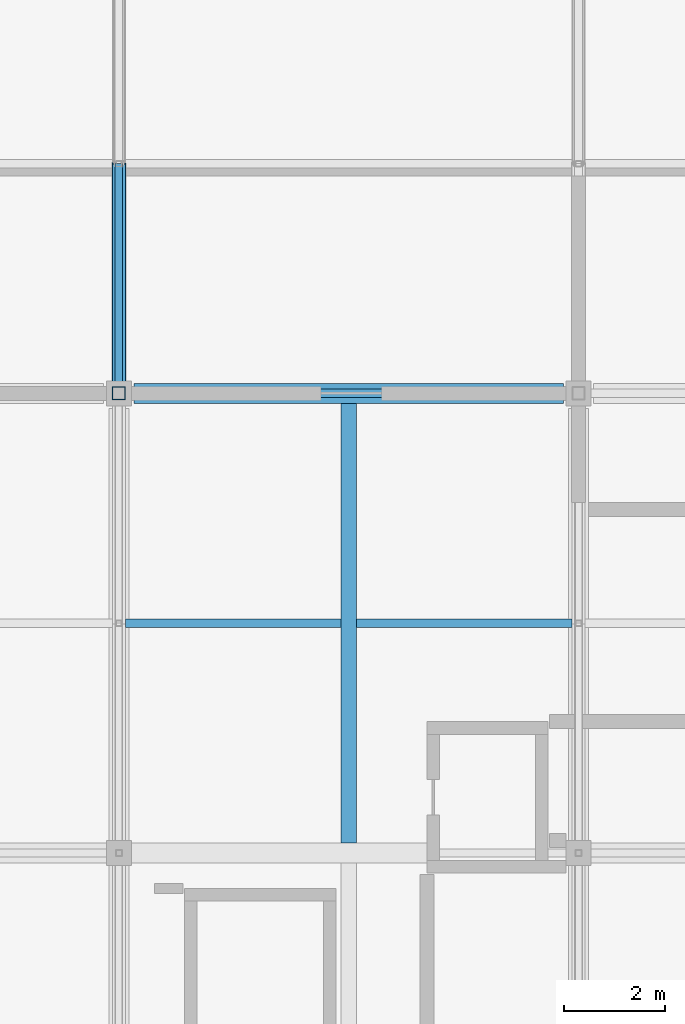
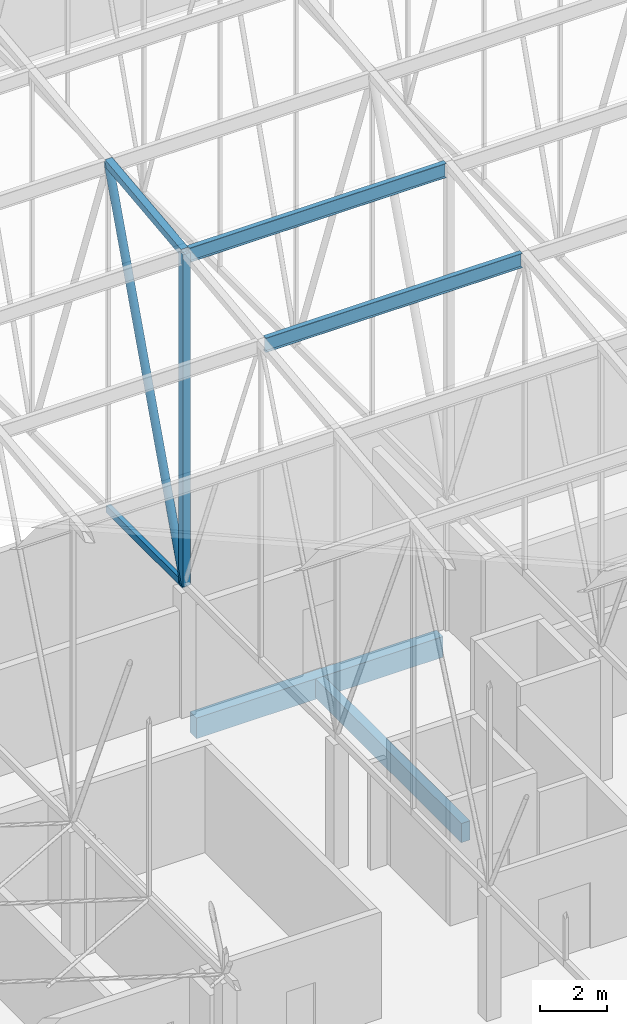
# One storey, part 59 of 500: 6 members, 2 beams.
"""IFC4 building model written with IfcOpenShell, lengths in metres."""

from ifc_helpers import new_model, si_unit, direction, frame, origin, origin_2d, place, context, subcontext, project, spatial, rectangle, hollow_rectangle, hollow_circle, i_section, extrude, material, material_profile, profile_set, type_object, element, save


model = new_model("IFC4")

# Units and contexts
model_context = context("Model", 3, precision=1e-05, world=origin(), true_north=direction((0.0, 1.0)))
body_context = subcontext(model_context, "Body", "Model", "MODEL_VIEW")
ifc_project = project(units=[si_unit("LENGTHUNIT", "METRE"), si_unit("AREAUNIT", "SQUARE_METRE"), si_unit("VOLUMEUNIT", "CUBIC_METRE"), si_unit("PLANEANGLEUNIT", "RADIAN"), si_unit("MASSUNIT", "GRAM", prefix="KILO")], contexts=[model_context])

# Site, building, storey
site_placement = place(None, origin())
site = spatial("IfcSite", under=ifc_project, at=site_placement, CompositionType="ELEMENT")
building_placement = place(site_placement, origin())
building = spatial("IfcBuilding", under=site, at=building_placement, Name="Shirokan Park Arena", CompositionType="ELEMENT")
storey_placement = place(building_placement, frame((0.0, 0.0, 29.1201171875)))
storey = spatial("IfcBuildingStorey", under=building, at=storey_placement, Name="L06", CompositionType="ELEMENT", Elevation=29.1201171875)

# Members
ifc_material_1 = material(Name="Steel ASTM A500 Grade C", Category="steel")
ifc_material_profile_1 = material_profile(ifc_material_1, hollow_rectangle(XDim=0.152099609375, YDim=0.25390625, WallThickness=0.009521484375, at=origin_2d()), Name="HSS254X152.4X9.5")
ifc_profile_set_1 = profile_set([ifc_material_profile_1], Name="Steel ASTM A500 Grade C")
member_type_1 = type_object("IfcMemberType", Name="Bottom chord HSS254X152.4X9.5", PredefinedType="CHORD", material=ifc_profile_set_1)
member_1_placement = place(storey_placement, frame((18.199951171875, 36.39990234375, 4.677001953125), z_axis=(0.0, 1.0, 0.0), x_axis=(-1.0, 0.0, 0.0)))
element("IfcMember", 1, at=member_1_placement, inside=storey, type_object=member_type_1, Name="Truss T03 bottom chord 11", PredefinedType="CHORD", context=body_context, shape_type="SweptSolid", body=[
    extrude(hollow_rectangle(XDim=0.152099609375, YDim=0.25390625, WallThickness=0.009521484375, at=origin_2d()), origin(), (0.0, 0.0, 1.0), 4.550048828125),
])
ifc_material_2 = material(Name="Steel ASTM A992", Category="steel")
ifc_material_profile_2 = material_profile(ifc_material_2, i_section(OverallWidth=0.166015625, OverallDepth=0.528076171875, WebThickness=0.009765625, FlangeThickness=0.013671875, at=origin_2d()), Name="W530X74")
ifc_profile_set_2 = profile_set([ifc_material_profile_2], Name="Steel ASTM A992")
member_type_2 = type_object("IfcMemberType", Name="Purlin W530X74", PredefinedType="PURLIN", material=ifc_profile_set_2)
for number, where, z_axis, x_axis, name in (
    (2, (18.326904296875, 31.85009765625, 16.1259765625), (1.0, 0.0, 0.0), (0.0, 1.0, 0.0), "Purlin 10 bay 3"),
    (3, (18.326904296875, 36.39990234375, 16.64599609375), (1.0, 0.0, 0.0), (0.0, 1.0, 0.0), "Purlin 11 bay 3"),
):
    element("IfcMember", number, at=place(storey_placement, frame(where, z_axis=z_axis, x_axis=x_axis)), inside=storey, type_object=member_type_2, Name=name, PredefinedType="PURLIN", context=body_context, shape_type="SweptSolid", body=[
        extrude(i_section(OverallWidth=0.166015625, OverallDepth=0.528076171875, WebThickness=0.009765625, FlangeThickness=0.013671875, at=origin_2d()), origin(), (0.0, 0.0, 1.0), 8.84619140625),
    ])

# Beams
ifc_material_3 = material(Name="Concrete C35", Category="concrete")
ifc_material_profile_3 = material_profile(ifc_material_3, rectangle(XDim=0.39990234375, YDim=0.75, at=origin_2d()), Name="400x750")
ifc_profile_set_3 = profile_set([ifc_material_profile_3], Name="Concrete C35")
beam_type_1 = type_object("IfcBeamType", Name="RC girder 400x750", PredefinedType="BEAM", material=ifc_profile_set_3)
beam_1_placement = place(storey_placement, frame((18.5, 36.39990234375, -0.5751953125), z_axis=(1.0, 0.0, 0.0), x_axis=(0.0, 1.0, 0.0)))
element("IfcBeam", 4, at=beam_1_placement, inside=storey, type_object=beam_type_1, Name="Girder 3E-4E L06", PredefinedType="BEAM", context=body_context, shape_type="SweptSolid", body=[
    extrude(rectangle(XDim=0.39990234375, YDim=0.75, at=origin_2d()), origin(), (0.0, 0.0, 1.0), 8.5),
])
ifc_material_profile_4 = material_profile(ifc_material_3, rectangle(XDim=0.300048828125, YDim=0.699951171875, at=origin_2d()), Name="300x700")
ifc_profile_set_4 = profile_set([ifc_material_profile_4], Name="Concrete C35")
beam_type_2 = type_object("IfcBeamType", Name="RC joist 300x700", PredefinedType="JOIST", material=ifc_profile_set_4)
beam_2_placement = place(storey_placement, frame((22.75, 27.5, -0.550048828125), z_axis=(0.0, 1.0, 0.0), x_axis=(-1.0, 0.0, 0.0)))
element("IfcBeam", 5, at=beam_2_placement, inside=storey, type_object=beam_type_2, Name="Joist 3D L06", PredefinedType="JOIST", context=body_context, shape_type="SweptSolid", body=[
    extrude(rectangle(XDim=0.300048828125, YDim=0.699951171875, at=origin_2d()), origin(), (0.0, 0.0, 1.0), 8.699951171875),
])

# Members
ifc_material_profile_5 = material_profile(ifc_material_1, hollow_rectangle(XDim=0.25390625, YDim=0.25390625, WallThickness=0.009521484375, at=origin_2d()), Name="HSS254X254X9.5")
ifc_profile_set_5 = profile_set([ifc_material_profile_5], Name="Steel ASTM A500 Grade C")
member_type_3 = type_object("IfcMemberType", Name="Top chord HSS254X254X9.5", PredefinedType="CHORD", material=ifc_profile_set_5)
member_2_placement = place(storey_placement, frame((18.199951171875, 36.39990234375, 16.782958984375), z_axis=(0.0, 0.993532328996, 0.113549598152), x_axis=(-1.0, 0.0, 0.0)))
element("IfcMember", 6, at=member_2_placement, inside=storey, type_object=member_type_3, Name="Truss T03 top chord 11", PredefinedType="CHORD", context=body_context, shape_type="SweptSolid", body=[
    extrude(hollow_rectangle(XDim=0.25390625, YDim=0.25390625, WallThickness=0.009521484375, at=origin_2d()), origin(), (0.0, 0.0, 1.0), 4.57958984375),
])
ifc_material_profile_6 = material_profile(ifc_material_1, hollow_circle(Radius=0.136474609375, WallThickness=0.009521484375, at=origin_2d()), Name="HSS273.1X9.5")
ifc_profile_set_6 = profile_set([ifc_material_profile_6], Name="Steel ASTM A500 Grade C")
member_type_4 = type_object("IfcMemberType", Name="Truss diagonal HSS273.1X9.5", PredefinedType="BRACE", material=ifc_profile_set_6)
member_3_placement = place(storey_placement, frame((18.199951171875, 36.39990234375, 4.677001953125), z_axis=(0.0, 0.339029292845, 0.940775817394), x_axis=(-1.0, 0.0, 0.0)))
element("IfcMember", 7, at=member_3_placement, inside=storey, type_object=member_type_4, Name="Truss T03 diagonal 11", PredefinedType="BRACE", context=body_context, shape_type="SweptSolid", body=[
    extrude(hollow_circle(Radius=0.136474609375, WallThickness=0.009521484375, at=origin_2d()), origin(), (0.0, 0.0, 1.0), 13.4208984375),
])
ifc_material_profile_7 = material_profile(ifc_material_1, hollow_rectangle(XDim=0.25390625, YDim=0.25390625, WallThickness=0.009521484375, at=origin_2d()), Name="HSS254X254X9.5")
ifc_profile_set_7 = profile_set([ifc_material_profile_7], Name="Steel ASTM A500 Grade C")
member_type_5 = type_object("IfcMemberType", Name="Truss post HSS254X254X9.5", PredefinedType="POST", material=ifc_profile_set_7)
member_4_placement = place(storey_placement, frame((18.199951171875, 36.39990234375, 4.677001953125), z_axis=(0.0, 0.0, 1.0), x_axis=(1.0, 0.0, 0.0)))
element("IfcMember", 8, at=member_4_placement, inside=storey, type_object=member_type_5, Name="Truss T03 post 11", PredefinedType="POST", context=body_context, shape_type="SweptSolid", body=[
    extrude(hollow_rectangle(XDim=0.25390625, YDim=0.25390625, WallThickness=0.009521484375, at=origin_2d()), origin(), (0.0, 0.0, 1.0), 12.10595703125),
])

save(model, "model.ifc")
